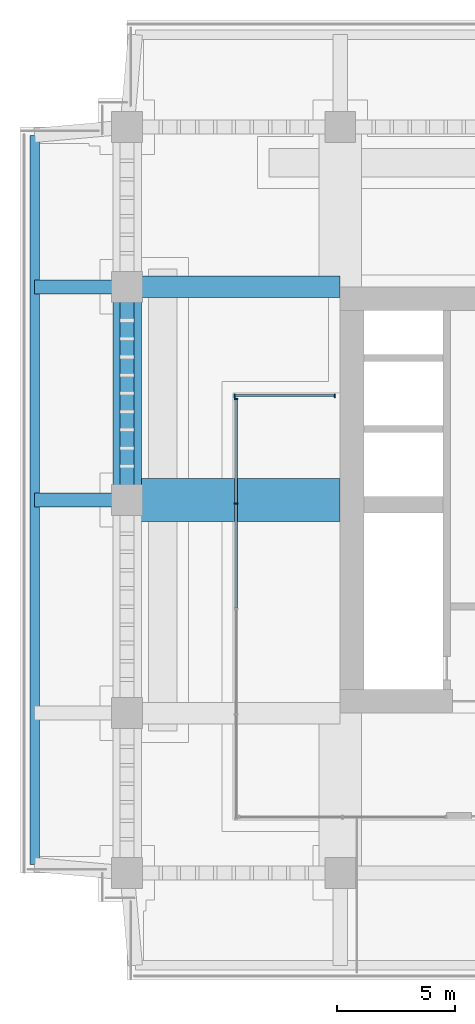
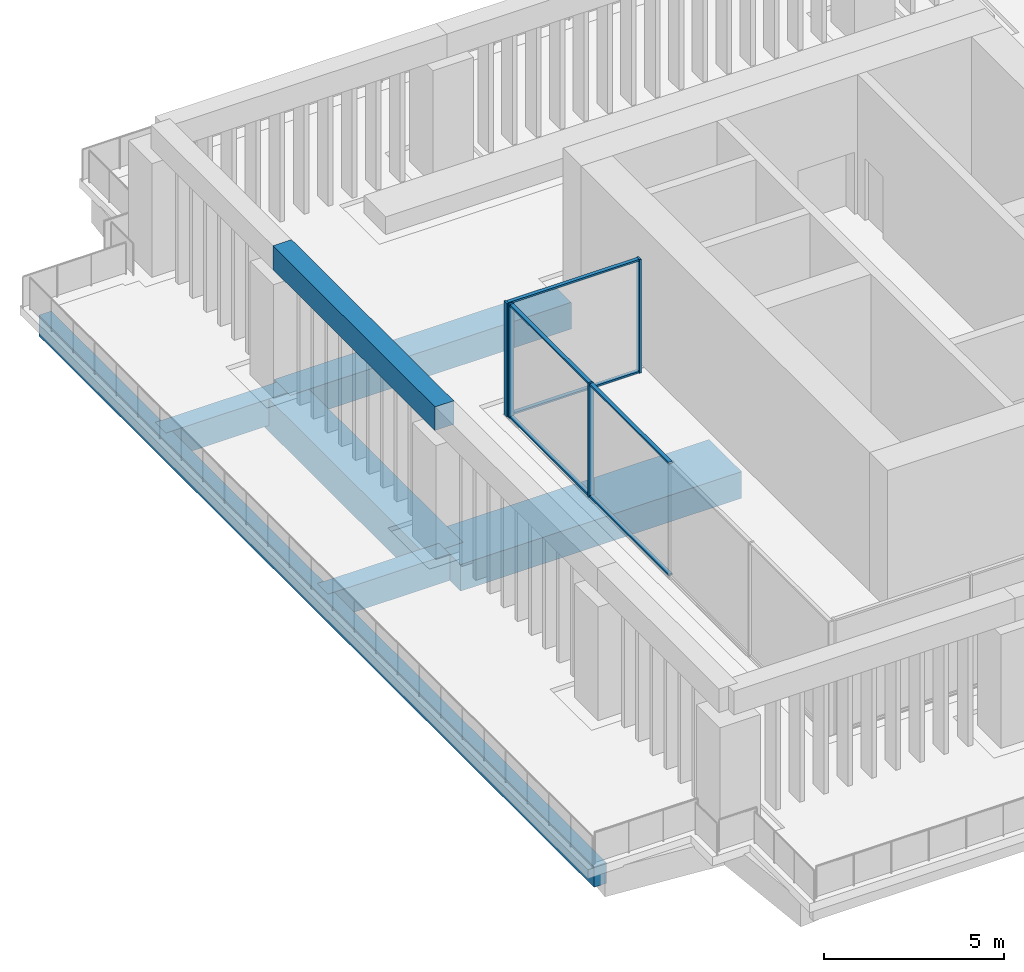
# One storey, part 5 of 9: 10 members, 7 beams, 2 elements without a shape of their own.
"""IFC4 building model written with IfcOpenShell, lengths in metres."""

from ifc_helpers import new_model, si_unit, direction, frame, origin, origin_2d, place, context, subcontext, project, spatial, rectangle, extrude, material, layer, layer_set, material_profile, profile_set, type_object, element, aggregate, save


model = new_model("IFC4")

# Units and contexts
model_context = context("Model", 3, precision=1e-05, world=origin(), true_north=direction((0.0, 1.0)))
body_context = subcontext(model_context, "Body", "Model", "MODEL_VIEW")
ifc_project = project(units=[si_unit("LENGTHUNIT", "METRE"), si_unit("AREAUNIT", "SQUARE_METRE"), si_unit("VOLUMEUNIT", "CUBIC_METRE"), si_unit("PLANEANGLEUNIT", "RADIAN"), si_unit("MASSUNIT", "GRAM", prefix="KILO")], contexts=[model_context])

# Site, building, storey
site_placement = place(None, origin())
site = spatial("IfcSite", under=ifc_project, at=site_placement, CompositionType="ELEMENT")
building_placement = place(site_placement, origin())
building = spatial("IfcBuilding", under=site, at=building_placement, Name="Namib Vertical Campus", CompositionType="ELEMENT")
storey_placement = place(building_placement, frame((0.0, 0.0, 297.0)))
storey = spatial("IfcBuildingStorey", under=building, at=storey_placement, Name="L70", CompositionType="ELEMENT", Elevation=297.0)

# Beams
ifc_material_1 = material(Name="Concrete C40/50", Category="concrete")
ifc_material_profile_1 = material_profile(ifc_material_1, rectangle(XDim=0.60009765625, YDim=0.89990234375, at=origin_2d()))
ifc_profile_set_1 = profile_set([ifc_material_profile_1], Name="Concrete C40/50")
beam_type_1 = type_object("IfcBeamType", Name="Cantilever girder RC 600x900", PredefinedType="BEAM", material=ifc_profile_set_1)
for number, where, z_axis, x_axis, name in (
    (1, (4.5, 20.25, -0.699951171875), (-1.0, 0.0, 0.0), (0.0, -1.0, 0.0), "Beam B3 L70"),
    (2, (4.5, 29.25, -0.699951171875), (-1.0, 0.0, 0.0), (0.0, -1.0, 0.0), "Beam B3 L70"),
):
    element("IfcBeam", number, at=place(storey_placement, frame(where, z_axis=z_axis, x_axis=x_axis)), inside=storey, type_object=beam_type_1, Name=name, PredefinedType="BEAM", context=body_context, shape_type="SweptSolid", body=[
        extrude(rectangle(XDim=0.60009765625, YDim=0.89990234375, at=origin_2d()), origin(), (0.0, 0.0, 1.0), 3.89990234375),
    ])

# Curtain wall, members
ifc_material_2 = material(Name="Black aluminium curtain wall", Category="aluminium")
ifc_layer = layer(ifc_material_2, 0.199951171875)
ifc_layer_set = layer_set([ifc_layer], Name="Pavilion curtain wall CW-PV")
curtain_wall_type = type_object("IfcCurtainWallType", Name="Pavilion curtain wall CW-PV", PredefinedType="USERDEFINED", material=ifc_layer_set)
curtain_wall_1_placement = place(storey_placement, origin())
curtain_wall_1 = element("IfcCurtainWall", 3, at=curtain_wall_1_placement, inside=storey, type_object=curtain_wall_type, Name="Curtain wall CW-PV L70 6", ObjectType="CURTAIN WALL", PredefinedType="USERDEFINED")
ifc_material_3 = material(Name="Black anodised aluminium", Category="aluminium")
ifc_material_profile_2 = material_profile(ifc_material_3, rectangle(XDim=0.06005859375, YDim=0.159912109375, at=origin_2d()))
ifc_profile_set_2 = profile_set([ifc_material_profile_2], Name="Black anodised aluminium")
member_type_1 = type_object("IfcMemberType", Name="Curtain wall mullion 60x160", PredefinedType="MULLION", material=ifc_profile_set_2)
member_1_placement = place(storey_placement, frame((13.27001953125, 24.64990234375, 0.0), z_axis=(0.0, 0.0, 1.0), x_axis=(-1.0, 0.0, 0.0)))
member_1 = element("IfcMember", 4, at=member_1_placement, type_object=member_type_1, Name="CW-PV mullion 1", PredefinedType="MULLION", context=body_context, shape_type="SweptSolid", body=[
    extrude(rectangle(XDim=0.06005859375, YDim=0.159912109375, at=origin_2d()), origin(), (0.0, 0.0, 1.0), 3.85009765625),
])
member_2_placement = place(storey_placement, frame((9.030029296875, 24.64990234375, 0.0), z_axis=(0.0, 0.0, 1.0), x_axis=(-1.0, 0.0, 0.0)))
member_2 = element("IfcMember", 5, at=member_2_placement, type_object=member_type_1, Name="CW-PV mullion 2", PredefinedType="MULLION", context=body_context, shape_type="SweptSolid", body=[
    extrude(rectangle(XDim=0.06005859375, YDim=0.159912109375, at=origin_2d()), origin(), (0.0, 0.0, 1.0), 3.85009765625),
])

curtain_wall_2_placement = place(storey_placement, origin())
curtain_wall_2 = element("IfcCurtainWall", 6, at=curtain_wall_2_placement, inside=storey, type_object=curtain_wall_type, Name="Curtain wall CW-PV L70 7", ObjectType="CURTAIN WALL", PredefinedType="USERDEFINED")
member_3_placement = place(storey_placement, frame((9.10009765625, 24.52001953125, 0.0), z_axis=(0.0, 0.0, 1.0), x_axis=(0.0, -1.0, 0.0)))
member_3 = element("IfcMember", 7, at=member_3_placement, type_object=member_type_1, Name="CW-PV mullion 1", PredefinedType="MULLION", context=body_context, shape_type="SweptSolid", body=[
    extrude(rectangle(XDim=0.06005859375, YDim=0.159912109375, at=origin_2d()), origin(), (0.0, 0.0, 1.0), 3.85009765625),
])
member_4_placement = place(storey_placement, frame((9.10009765625, 20.10009765625, 0.0), z_axis=(0.0, 0.0, 1.0), x_axis=(0.0, -1.0, 0.0)))
member_4 = element("IfcMember", 8, at=member_4_placement, type_object=member_type_1, Name="CW-PV mullion 2", PredefinedType="MULLION", context=body_context, shape_type="SweptSolid", body=[
    extrude(rectangle(XDim=0.06005859375, YDim=0.159912109375, at=origin_2d()), origin(), (0.0, 0.0, 1.0), 3.85009765625),
])

# Member
ifc_material_4 = material(Name="Black anodised aluminium", Category="aluminium")
ifc_material_profile_3 = material_profile(ifc_material_4, rectangle(XDim=0.06005859375, YDim=0.1201171875, at=origin_2d()))
ifc_profile_set_3 = profile_set([ifc_material_profile_3], Name="Black anodised aluminium")
member_type_2 = type_object("IfcMemberType", Name="Curtain wall transom 60x120", PredefinedType="USERDEFINED", material=ifc_profile_set_3)
member_5_placement = place(storey_placement, frame((13.239990234375, 24.64990234375, 0.030029296875), z_axis=(-1.0, 0.0, 0.0), x_axis=(0.0, 0.0, 1.0)))
member_5 = element("IfcMember", 9, at=member_5_placement, type_object=member_type_2, Name="CW-PV transom 1.1", ObjectType="TRANSOM", PredefinedType="USERDEFINED", context=body_context, shape_type="SweptSolid", body=[
    extrude(rectangle(XDim=0.06005859375, YDim=0.1201171875, at=origin_2d()), origin(), (0.0, 0.0, 1.0), 4.179931640625),
])

member_6_placement = place(storey_placement, frame((13.239990234375, 24.64990234375, 3.820068359375), z_axis=(-1.0, 0.0, 0.0), x_axis=(0.0, 0.0, 1.0)))
member_6 = element("IfcMember", 10, at=member_6_placement, type_object=member_type_2, Name="CW-PV transom 1.2", ObjectType="TRANSOM", PredefinedType="USERDEFINED", context=body_context, shape_type="SweptSolid", body=[
    extrude(rectangle(XDim=0.06005859375, YDim=0.1201171875, at=origin_2d()), origin(), (0.0, 0.0, 1.0), 4.179931640625),
])

aggregate(curtain_wall_1, [member_1, member_2, member_5, member_6])

member_7_placement = place(storey_placement, frame((9.10009765625, 24.489990234375, 0.030029296875), z_axis=(0.0, -1.0, 0.0), x_axis=(0.0, 0.0, 1.0)))
member_7 = element("IfcMember", 11, at=member_7_placement, type_object=member_type_2, Name="CW-PV transom 1.1", ObjectType="TRANSOM", PredefinedType="USERDEFINED", context=body_context, shape_type="SweptSolid", body=[
    extrude(rectangle(XDim=0.06005859375, YDim=0.1201171875, at=origin_2d()), origin(), (0.0, 0.0, 1.0), 4.360107421875),
])

member_8_placement = place(storey_placement, frame((9.10009765625, 24.489990234375, 3.820068359375), z_axis=(0.0, -1.0, 0.0), x_axis=(0.0, 0.0, 1.0)))
member_8 = element("IfcMember", 12, at=member_8_placement, type_object=member_type_2, Name="CW-PV transom 1.2", ObjectType="TRANSOM", PredefinedType="USERDEFINED", context=body_context, shape_type="SweptSolid", body=[
    extrude(rectangle(XDim=0.06005859375, YDim=0.1201171875, at=origin_2d()), origin(), (0.0, 0.0, 1.0), 4.360107421875),
])

member_9_placement = place(storey_placement, frame((9.10009765625, 20.070068359375, 0.030029296875), z_axis=(0.0, -1.0, 0.0), x_axis=(0.0, 0.0, 1.0)))
member_9 = element("IfcMember", 13, at=member_9_placement, type_object=member_type_2, Name="CW-PV transom 2.1", ObjectType="TRANSOM", PredefinedType="USERDEFINED", context=body_context, shape_type="SweptSolid", body=[
    extrude(rectangle(XDim=0.06005859375, YDim=0.1201171875, at=origin_2d()), origin(), (0.0, 0.0, 1.0), 4.39013671875),
])

member_10_placement = place(storey_placement, frame((9.10009765625, 20.070068359375, 3.820068359375), z_axis=(0.0, -1.0, 0.0), x_axis=(0.0, 0.0, 1.0)))
member_10 = element("IfcMember", 14, at=member_10_placement, type_object=member_type_2, Name="CW-PV transom 2.2", ObjectType="TRANSOM", PredefinedType="USERDEFINED", context=body_context, shape_type="SweptSolid", body=[
    extrude(rectangle(XDim=0.06005859375, YDim=0.1201171875, at=origin_2d()), origin(), (0.0, 0.0, 1.0), 4.39013671875),
])

aggregate(curtain_wall_2, [member_3, member_4, member_7, member_8, member_9, member_10])

# Beams
ifc_material_5 = material(Name="Concrete C40/50", Category="concrete")
ifc_material_profile_4 = material_profile(ifc_material_5, rectangle(XDim=0.39990234375, YDim=0.699951171875, at=origin_2d()))
ifc_profile_set_4 = profile_set([ifc_material_profile_4], Name="Concrete C40/50")
beam_type_2 = type_object("IfcBeamType", Name="Edge beam RC 400x700", PredefinedType="SPANDREL", material=ifc_profile_set_4)
beam_1_placement = place(storey_placement, frame((0.60009765625, 4.85009765625, -0.60009765625), z_axis=(0.0, 1.0, 0.0), x_axis=(-1.0, 0.0, 0.0)))
element("IfcBeam", 15, at=beam_1_placement, inside=storey, type_object=beam_type_2, Name="Beam B4 L70", PredefinedType="SPANDREL", context=body_context, shape_type="SweptSolid", body=[
    extrude(rectangle(XDim=0.39990234375, YDim=0.699951171875, at=origin_2d()), origin(), (0.0, 0.0, 1.0), 30.7998046875),
])
ifc_material_6 = material(Name="Concrete C40/50", Category="concrete")
ifc_material_profile_5 = material_profile(ifc_material_6, rectangle(XDim=0.89990234375, YDim=0.89990234375, at=origin_2d()))
ifc_profile_set_5 = profile_set([ifc_material_profile_5], Name="Concrete C40/50")
beam_type_3 = type_object("IfcBeamType", Name="Face girder RC 900x900", PredefinedType="BEAM", material=ifc_profile_set_5)
beam_2_placement = place(storey_placement, frame((4.5, 29.25, -0.699951171875), z_axis=(1.0, 0.0, 0.0), x_axis=(0.0, 1.0, 0.0)))
element("IfcBeam", 16, at=beam_2_placement, inside=storey, type_object=beam_type_3, Name="Beam B10 L70", PredefinedType="BEAM", context=body_context, shape_type="SweptSolid", body=[
    extrude(rectangle(XDim=0.89990234375, YDim=0.89990234375, at=origin_2d()), origin(), (0.0, 0.0, 1.0), 9.0),
])
ifc_material_7 = material(Name="Concrete C40/50", Category="concrete")
ifc_material_profile_6 = material_profile(ifc_material_7, rectangle(XDim=1.199951171875, YDim=1.10009765625, at=origin_2d()))
ifc_profile_set_6 = profile_set([ifc_material_profile_6], Name="Concrete C40/50")
beam_type_4 = type_object("IfcBeamType", Name="Face ring beam RC 1200x1100", PredefinedType="BEAM", material=ifc_profile_set_6)
beam_3_placement = place(storey_placement, frame((4.5, 20.25, -0.800048828125), z_axis=(0.0, 1.0, 0.0), x_axis=(-1.0, 0.0, 0.0)))
element("IfcBeam", 17, at=beam_3_placement, inside=storey, type_object=beam_type_4, Name="Beam B11 L70", PredefinedType="BEAM", context=body_context, shape_type="SweptSolid", body=[
    extrude(rectangle(XDim=1.199951171875, YDim=1.10009765625, at=origin_2d()), origin(), (0.0, 0.0, 1.0), 9.0),
])
ifc_material_8 = material(Name="Concrete C40/50", Category="concrete")
ifc_material_profile_7 = material_profile(ifc_material_8, rectangle(XDim=1.800048828125, YDim=0.89990234375, at=origin_2d()))
ifc_profile_set_7 = profile_set([ifc_material_profile_7], Name="Concrete C40/50")
beam_type_5 = type_object("IfcBeamType", Name="Outrigger line girder RC 1800x900", PredefinedType="BEAM", material=ifc_profile_set_7)
beam_4_placement = place(storey_placement, frame((4.5, 20.25, -0.699951171875), z_axis=(1.0, 0.0, 0.0), x_axis=(0.0, 1.0, 0.0)))
element("IfcBeam", 18, at=beam_4_placement, inside=storey, type_object=beam_type_5, Name="Beam B12 L70", PredefinedType="BEAM", context=body_context, shape_type="SweptSolid", body=[
    extrude(rectangle(XDim=1.800048828125, YDim=0.89990234375, at=origin_2d()), origin(), (0.0, 0.0, 1.0), 9.0),
])
ifc_material_9 = material(Name="Concrete C40/50", Category="concrete")
ifc_material_profile_8 = material_profile(ifc_material_9, rectangle(XDim=0.60009765625, YDim=0.800048828125, at=origin_2d()))
ifc_profile_set_8 = profile_set([ifc_material_profile_8], Name="Concrete C40/50")
beam_type_6 = type_object("IfcBeamType", Name="Ring beam RC 600x800", PredefinedType="BEAM", material=ifc_profile_set_8)
beam_5_placement = place(storey_placement, frame((4.5, 20.25, 4.25), z_axis=(0.0, 1.0, 0.0), x_axis=(-1.0, 0.0, 0.0)))
element("IfcBeam", 19, at=beam_5_placement, inside=storey, type_object=beam_type_6, Name="Canopy ring beam B1 RBW3", PredefinedType="BEAM", context=body_context, shape_type="SweptSolid", body=[
    extrude(rectangle(XDim=0.60009765625, YDim=0.800048828125, at=origin_2d()), origin(), (0.0, 0.0, 1.0), 9.0),
])

save(model, "model.ifc")
